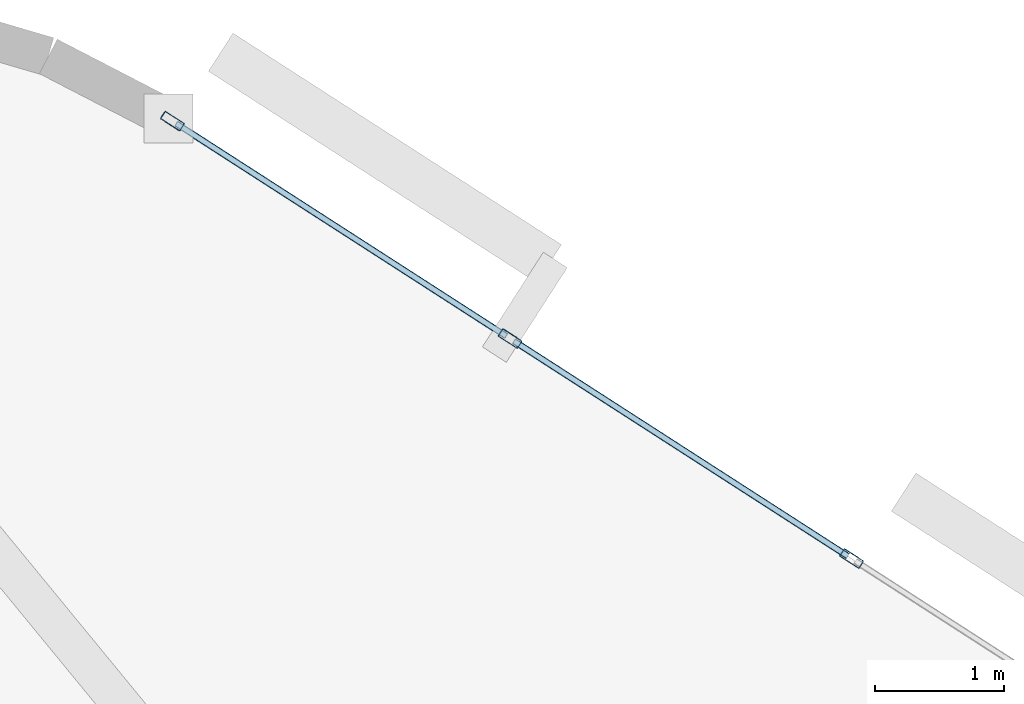
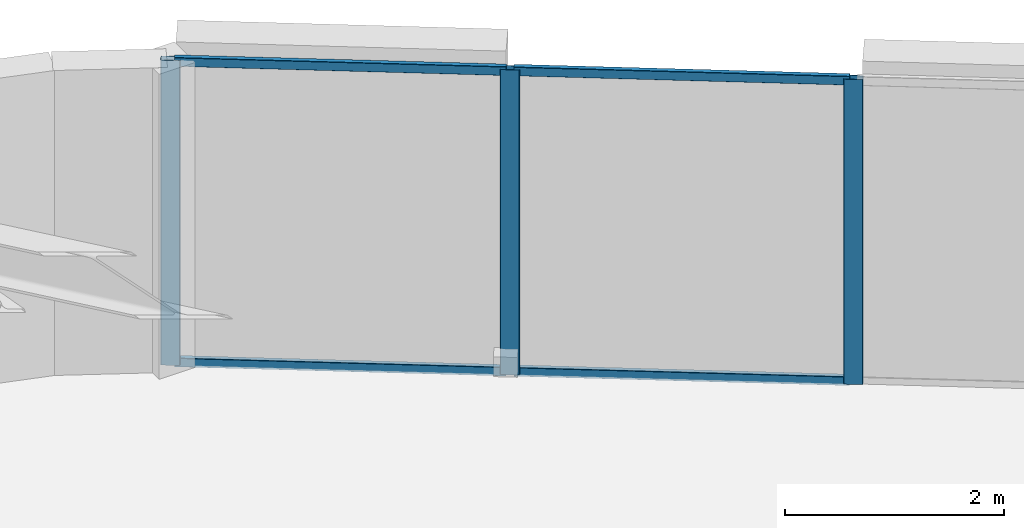
# One storey, part 8 of 15: 7 members, 1 element without a shape of its own.
"""IFC4 building model written with IfcOpenShell, lengths in metres."""

from ifc_helpers import new_model, si_unit, direction, frame, origin, origin_2d, place, context, subcontext, project, spatial, hollow_rectangle, extrude, material, layer, layer_set, material_profile, profile_set, type_object, element, aggregate, save


model = new_model("IFC4")

# Units and contexts
model_context = context("Model", 3, precision=1e-05, world=origin(), true_north=direction((0.0, 1.0)))
body_context = subcontext(model_context, "Body", "Model", "MODEL_VIEW")
ifc_project = project(units=[si_unit("LENGTHUNIT", "METRE"), si_unit("AREAUNIT", "SQUARE_METRE"), si_unit("VOLUMEUNIT", "CUBIC_METRE"), si_unit("PLANEANGLEUNIT", "RADIAN"), si_unit("MASSUNIT", "GRAM", prefix="KILO")], contexts=[model_context])

# Site, building, storey
site_placement = place(None, origin())
site = spatial("IfcSite", under=ifc_project, at=site_placement, CompositionType="ELEMENT")
building_placement = place(site_placement, origin())
building = spatial("IfcBuilding", under=site, at=building_placement, Name="An Khanh Terracotta Commons", CompositionType="ELEMENT")
storey_placement = place(building_placement, frame((0.0, 0.0, 176.199951171875)))
storey = spatial("IfcBuildingStorey", under=building, at=storey_placement, Name="L46", CompositionType="ELEMENT", Elevation=176.199951171875)

# Curtain wall, members
ifc_material = material(Name="Anodised Aluminium 6063-T6", Category="aluminium")
ifc_layer = layer(ifc_material, 0.2099609375, Name="Anodised Aluminium 6063-T6")
ifc_layer_set = layer_set([ifc_layer], Name="Anodised Aluminium 6063-T6")
curtain_wall_type = type_object("IfcCurtainWallType", Name="CW-SYS-03", PredefinedType="USERDEFINED", material=ifc_layer_set)
curtain_wall_placement = place(storey_placement, origin())
curtain_wall = element("IfcCurtainWall", 1, at=curtain_wall_placement, inside=storey, type_object=curtain_wall_type, Name="L46 CW-03 Unitised Curtain Wall CW-L46-16", ObjectType="UNITISED CURTAIN WALL", PredefinedType="USERDEFINED")
ifc_material_profile_1 = material_profile(ifc_material, hollow_rectangle(XDim=0.070068359375, YDim=0.179931640625, WallThickness=0.00390625, InnerFilletRadius=0.00390625, OuterFilletRadius=0.008056640625, at=origin_2d()), Name="RHS180x70x4")
ifc_profile_set_1 = profile_set([ifc_material_profile_1], Name="Anodised Aluminium 6063-T6")
member_type_1 = type_object("IfcMemberType", Name="CWM-RHS180x70x4", PredefinedType="MULLION", material=ifc_profile_set_1)
member_1_placement = place(storey_placement, frame((57.838623046875, 37.52392578125, 0.0), z_axis=(0.0, 0.0, 1.0), x_axis=(-0.541497931062, -0.840702081986, 0.0)))
member_1 = element("IfcMember", 2, at=member_1_placement, type_object=member_type_1, Name="CW-03 mullion 2", PredefinedType="MULLION", context=body_context, shape_type="SweptSolid", body=[
    extrude(hollow_rectangle(XDim=0.070068359375, YDim=0.179931640625, WallThickness=0.00390625, InnerFilletRadius=0.00390625, OuterFilletRadius=0.008056640625, at=origin_2d()), origin(), (0.0, 0.0, 1.0), 3.400146484375),
])
member_2_placement = place(storey_placement, frame((55.19921875, 39.22412109375, 0.0), z_axis=(0.0, 0.0, 1.0), x_axis=(-0.541497931062, -0.840702081986, 0.0)))
member_2 = element("IfcMember", 3, at=member_2_placement, type_object=member_type_1, Name="CW-03 mullion 3", PredefinedType="MULLION", context=body_context, shape_type="SweptSolid", body=[
    extrude(hollow_rectangle(XDim=0.070068359375, YDim=0.179931640625, WallThickness=0.00390625, InnerFilletRadius=0.00390625, OuterFilletRadius=0.008056640625, at=origin_2d()), origin(), (0.0, 0.0, 1.0), 3.400146484375),
])
member_3_placement = place(storey_placement, frame((52.58935546875, 40.905029296875, 0.0), z_axis=(0.0, 0.0, 1.0), x_axis=(-0.541497931062, -0.840702081986, 0.0)))
member_3 = element("IfcMember", 4, at=member_3_placement, type_object=member_type_1, Name="CW-03 mullion 4", PredefinedType="MULLION", context=body_context, shape_type="SweptSolid", body=[
    extrude(hollow_rectangle(XDim=0.070068359375, YDim=0.179931640625, WallThickness=0.00390625, InnerFilletRadius=0.00390625, OuterFilletRadius=0.008056640625, at=origin_2d()), origin(), (0.0, 0.0, 1.0), 3.400146484375),
])
ifc_material_profile_2 = material_profile(ifc_material, hollow_rectangle(XDim=0.050048828125, YDim=0.10009765625, WallThickness=0.003173828125, InnerFilletRadius=0.003173828125, OuterFilletRadius=0.00634765625, at=origin_2d()), Name="RHS100x50x3.2")
ifc_profile_set_2 = profile_set([ifc_material_profile_2], Name="Anodised Aluminium 6063-T6")
member_type_2 = type_object("IfcMemberType", Name="CWT-RHS100x50x3.2", PredefinedType="USERDEFINED", material=ifc_profile_set_2)
member_4_placement = place(storey_placement, frame((57.809326171875, 37.54296875, 0.025146484375), z_axis=(-0.840707825526, 0.54148901383, 0.0), x_axis=(-0.54148901383, -0.840707825526, 0.0)))
member_4 = element("IfcMember", 5, at=member_4_placement, type_object=member_type_2, Name="CW-03 transom 2.1", ObjectType="TRANSOM", PredefinedType="USERDEFINED", context=body_context, shape_type="SweptSolid", body=[
    extrude(hollow_rectangle(XDim=0.050048828125, YDim=0.10009765625, WallThickness=0.003173828125, InnerFilletRadius=0.003173828125, OuterFilletRadius=0.00634765625, at=origin_2d()), origin(), (0.0, 0.0, 1.0), 3.069580078125),
])
member_5_placement = place(storey_placement, frame((57.809326171875, 37.54296875, 3.375), z_axis=(-0.840707825526, 0.54148901383, 0.0), x_axis=(-0.54148901383, -0.840707825526, 0.0)))
member_5 = element("IfcMember", 6, at=member_5_placement, type_object=member_type_2, Name="CW-03 transom 2.2", ObjectType="TRANSOM", PredefinedType="USERDEFINED", context=body_context, shape_type="SweptSolid", body=[
    extrude(hollow_rectangle(XDim=0.050048828125, YDim=0.10009765625, WallThickness=0.003173828125, InnerFilletRadius=0.003173828125, OuterFilletRadius=0.00634765625, at=origin_2d()), origin(), (0.0, 0.0, 1.0), 3.069580078125),
])
member_6_placement = place(storey_placement, frame((55.169921875, 39.242919921875, 0.025146484375), z_axis=(-0.840710223453, 0.541485290826, 0.0), x_axis=(-0.541485290826, -0.840710223453, 0.0)))
member_6 = element("IfcMember", 7, at=member_6_placement, type_object=member_type_2, Name="CW-03 transom 3.1", ObjectType="TRANSOM", PredefinedType="USERDEFINED", context=body_context, shape_type="SweptSolid", body=[
    extrude(hollow_rectangle(XDim=0.050048828125, YDim=0.10009765625, WallThickness=0.003173828125, InnerFilletRadius=0.003173828125, OuterFilletRadius=0.00634765625, at=origin_2d()), origin(), (0.0, 0.0, 1.0), 3.034423828125),
])
member_7_placement = place(storey_placement, frame((55.169921875, 39.242919921875, 3.375), z_axis=(-0.840710223453, 0.541485290826, 0.0), x_axis=(-0.541485290826, -0.840710223453, 0.0)))
member_7 = element("IfcMember", 8, at=member_7_placement, type_object=member_type_2, Name="CW-03 transom 3.2", ObjectType="TRANSOM", PredefinedType="USERDEFINED", context=body_context, shape_type="SweptSolid", body=[
    extrude(hollow_rectangle(XDim=0.050048828125, YDim=0.10009765625, WallThickness=0.003173828125, InnerFilletRadius=0.003173828125, OuterFilletRadius=0.00634765625, at=origin_2d()), origin(), (0.0, 0.0, 1.0), 3.034423828125),
])
aggregate(curtain_wall, [member_1, member_2, member_3, member_4, member_5, member_6, member_7])

save(model, "model.ifc")
